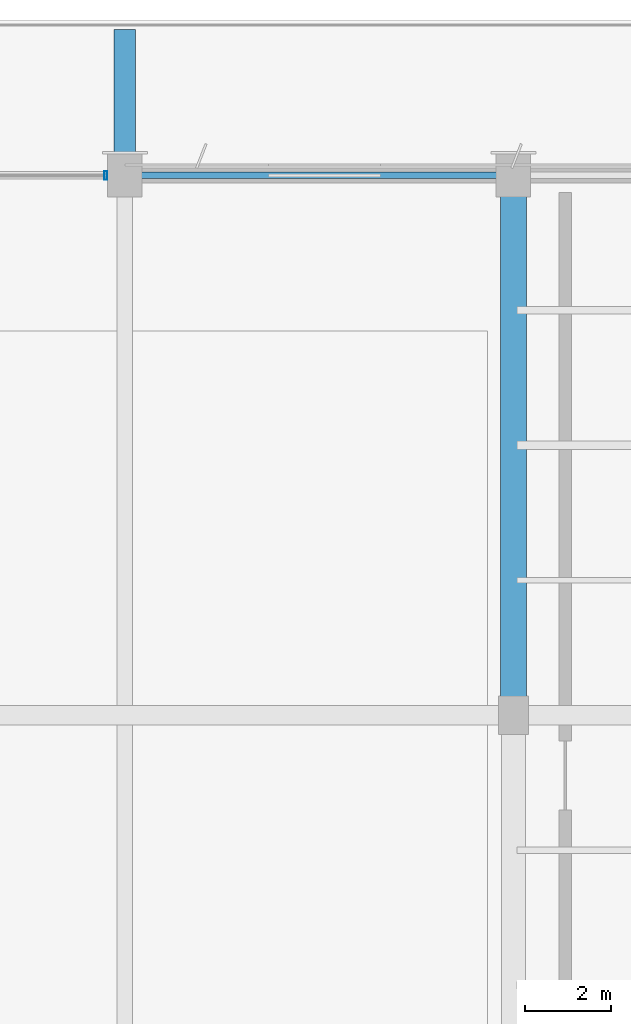
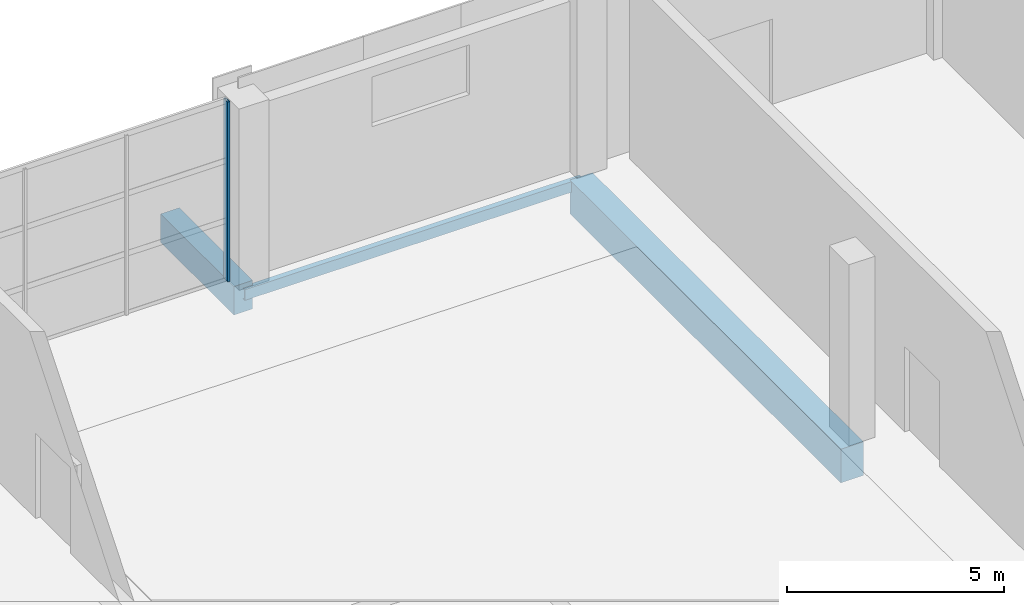
# One storey, part 59 of 90: 3 beams, 1 member, 1 element without a shape of its own.
"""IFC4 building model written with IfcOpenShell, lengths in metres."""

from ifc_helpers import new_model, si_unit, direction, frame, origin, origin_2d, place, context, subcontext, project, spatial, rectangle, hollow_rectangle, extrude, material, material_profile, profile_set, type_object, element, aggregate, save


model = new_model("IFC4")

# Units and contexts
model_context = context("Model", 3, precision=1e-05, world=origin(), true_north=direction((0.0, 1.0)))
body_context = subcontext(model_context, "Body", "Model", "MODEL_VIEW")
ifc_project = project(units=[si_unit("LENGTHUNIT", "METRE"), si_unit("AREAUNIT", "SQUARE_METRE"), si_unit("VOLUMEUNIT", "CUBIC_METRE"), si_unit("PLANEANGLEUNIT", "RADIAN"), si_unit("MASSUNIT", "GRAM", prefix="KILO")], contexts=[model_context])

# Site, building, storey
site_placement = place(None, origin())
site = spatial("IfcSite", under=ifc_project, at=site_placement, CompositionType="ELEMENT")
building_placement = place(site_placement, origin())
building = spatial("IfcBuilding", under=site, at=building_placement, Name="Solvikara Media Centre", CompositionType="ELEMENT")
storey_placement = place(building_placement, origin())
storey = spatial("IfcBuildingStorey", under=building, at=storey_placement, Name="L00", CompositionType="ELEMENT", Elevation=0.0)

# Beams
ifc_material_1 = material(Name="Concrete fc' 35 MPa (C35/45)", Category="concrete")
ifc_material_profile_1 = material_profile(ifc_material_1, rectangle(XDim=0.5, YDim=0.800048828125, at=origin_2d()), Name="RC 500x800")
ifc_profile_set_1 = profile_set([ifc_material_profile_1], Name="Concrete fc' 35 MPa (C35/45)")
beam_type_1 = type_object("IfcBeamType", Name="BM-07", PredefinedType="BEAM", material=ifc_profile_set_1)
beam_1_placement = place(storey_placement, frame((145.5, 114.0, -0.64990234375), z_axis=(0.0, 1.0, 0.0), x_axis=(-1.0, 0.0, 0.0)))
element("IfcBeam", 1, at=beam_1_placement, inside=storey, type_object=beam_type_1, Name="B-L00-PRM-038", PredefinedType="BEAM", context=body_context, shape_type="SweptSolid", body=[
    extrude(rectangle(XDim=0.5, YDim=0.800048828125, at=origin_2d()), origin(), (0.0, 0.0, 1.0), 3.3798828125),
])
ifc_material_2 = material(Name="Concrete fc' 45 MPa (C45/55)", Category="concrete")
ifc_material_profile_2 = material_profile(ifc_material_2, rectangle(XDim=0.60009765625, YDim=0.949951171875, at=origin_2d()), Name="RC 600x950")
ifc_profile_set_2 = profile_set([ifc_material_profile_2], Name="Concrete fc' 45 MPa (C45/55)")
beam_type_2 = type_object("IfcBeamType", Name="BM-11", PredefinedType="BEAM", material=ifc_profile_set_2)
beam_2_placement = place(storey_placement, frame((154.5, 101.5, -0.85498046875), z_axis=(0.0, 1.0, 0.0), x_axis=(-1.0, 0.0, 0.0)))
element("IfcBeam", 2, at=beam_2_placement, inside=storey, type_object=beam_type_2, Name="B-L00-Y0227", PredefinedType="BEAM", context=body_context, shape_type="SweptSolid", body=[
    extrude(rectangle(XDim=0.60009765625, YDim=0.949951171875, at=origin_2d()), origin(), (0.0, 0.0, 1.0), 12.5),
])
ifc_material_3 = material(Name="Steel S355JR", Category="steel")
ifc_material_profile_3 = material_profile(ifc_material_3, hollow_rectangle(XDim=0.14990234375, YDim=0.300048828125, WallThickness=0.010009765625, at=origin_2d()), Name="RHS 300x150x10")
ifc_profile_set_3 = profile_set([ifc_material_profile_3], Name="Steel S355JR")
beam_type_3 = type_object("IfcBeamType", Name="BM-35", PredefinedType="BEAM", material=ifc_profile_set_3)
beam_3_placement = place(storey_placement, frame((145.5, 114.0, -0.531982421875), z_axis=(1.0, 0.0, 0.0), x_axis=(0.0, 1.0, 0.0)))
element("IfcBeam", 3, at=beam_3_placement, inside=storey, type_object=beam_type_3, Name="B-L00-X0109", PredefinedType="BEAM", context=body_context, shape_type="SweptSolid", body=[
    extrude(hollow_rectangle(XDim=0.14990234375, YDim=0.300048828125, WallThickness=0.010009765625, at=origin_2d()), origin(), (0.0, 0.0, 1.0), 9.0),
])

# Curtain wall, member
ifc_material_4 = material(Name="Anodised aluminium EN AW-6063", Category="aluminium")
curtain_wall_type = type_object("IfcCurtainWallType", Name="CW-11", PredefinedType="NOTDEFINED", material=ifc_material_4)
curtain_wall_placement = place(storey_placement, origin())
curtain_wall = element("IfcCurtainWall", 4, at=curtain_wall_placement, inside=storey, type_object=curtain_wall_type, Name="CW-L00-V2N-1-S2", PredefinedType="NOTDEFINED")
ifc_material_profile_4 = material_profile(ifc_material_4, hollow_rectangle(XDim=0.06494140625, YDim=0.199951171875, WallThickness=0.00390625, at=origin_2d()), Name="ALU-M 65x200x4")
ifc_profile_set_4 = profile_set([ifc_material_profile_4], Name="Anodised aluminium EN AW-6063")
member_type = type_object("IfcMemberType", Name="MF-02", PredefinedType="MULLION", material=ifc_profile_set_4)
member_placement = place(storey_placement, frame((145.06005859375, 114.0, 0.02001953125), z_axis=(0.0, 0.0, 1.0), x_axis=(1.0, 0.0, 0.0)))
member = element("IfcMember", 5, at=member_placement, type_object=member_type, Name="CW-L00-V2N-1-S2-M03", PredefinedType="MULLION", context=body_context, shape_type="SweptSolid", body=[
    extrude(hollow_rectangle(XDim=0.06494140625, YDim=0.199951171875, WallThickness=0.00390625, at=origin_2d()), origin(), (0.0, 0.0, 1.0), 5.06005859375),
])
aggregate(curtain_wall, [member])

save(model, "model.ifc")
